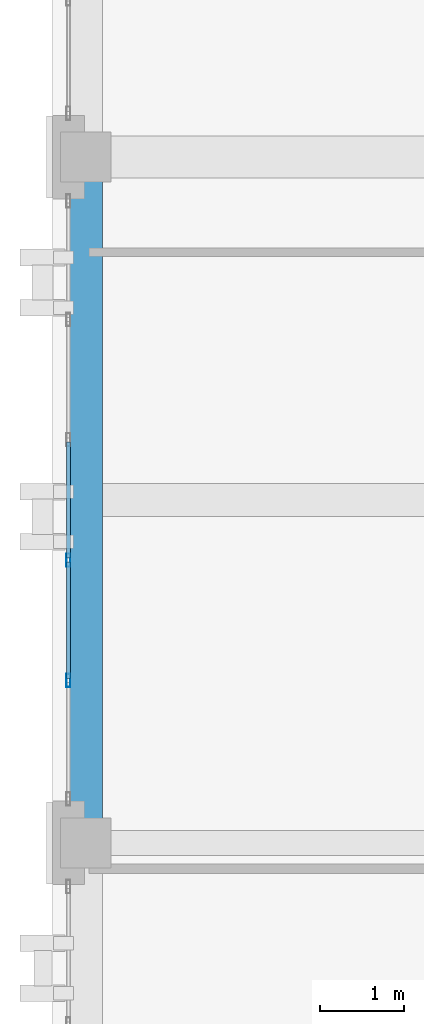
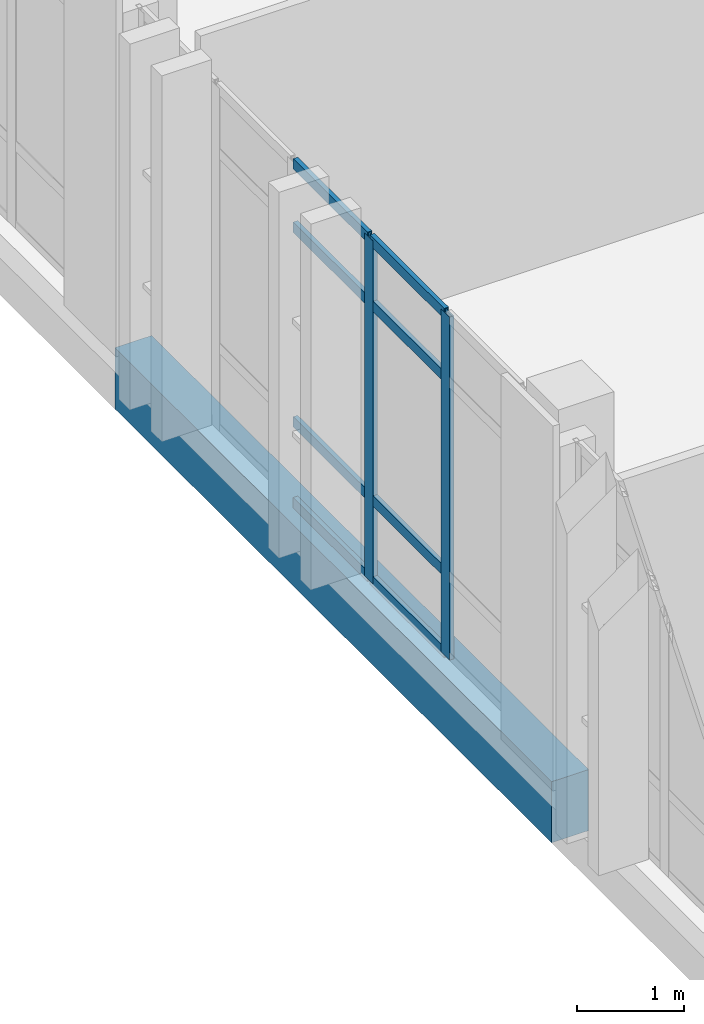
# One storey, part 31 of 90: 10 members, 1 beam, 1 element without a shape of its own.
"""IFC4 building model written with IfcOpenShell, lengths in metres."""

from ifc_helpers import new_model, si_unit, direction, frame, origin, origin_2d, place, context, subcontext, project, spatial, rectangle, hollow_rectangle, extrude, material, layer, layer_set, material_profile, profile_set, type_object, element, aggregate, save


model = new_model("IFC4")

# Units and contexts
model_context = context("Model", 3, precision=1e-05, world=origin(), true_north=direction((0.0, 1.0)))
body_context = subcontext(model_context, "Body", "Model", "MODEL_VIEW")
ifc_project = project(units=[si_unit("LENGTHUNIT", "METRE"), si_unit("AREAUNIT", "SQUARE_METRE"), si_unit("VOLUMEUNIT", "CUBIC_METRE"), si_unit("PLANEANGLEUNIT", "RADIAN"), si_unit("MASSUNIT", "GRAM", prefix="KILO")], contexts=[model_context])

# Site, building, storey
site_placement = place(None, origin())
site = spatial("IfcSite", under=ifc_project, at=site_placement, CompositionType="ELEMENT")
building_placement = place(site_placement, origin())
building = spatial("IfcBuilding", under=site, at=building_placement, Name="Qalavern Law Courts", CompositionType="ELEMENT")
storey_placement = place(building_placement, frame((0.0, 0.0, 22.800048828125)))
storey = spatial("IfcBuildingStorey", under=building, at=storey_placement, Name="L05", CompositionType="ELEMENT", Elevation=22.800048828125)

# Curtain wall, members
ifc_material_1 = material(Name="Anodised aluminium and insulated glazing", Category="aluminium")
ifc_layer = layer(ifc_material_1, 0.159912109375)
ifc_layer_set = layer_set([ifc_layer], Name="Anodised aluminium and insulated glazing")
curtain_wall_type = type_object("IfcCurtainWallType", Name="ENV-CW-CHAMB", PredefinedType="USERDEFINED", material=ifc_layer_set)
curtain_wall_placement = place(storey_placement, origin())
curtain_wall = element("IfcCurtainWall", 1, at=curtain_wall_placement, inside=storey, type_object=curtain_wall_type, Name="V3 unitised curtain wall L05 west 2", ObjectType="UNITISED CURTAIN WALL", PredefinedType="USERDEFINED")
ifc_material_2 = material(Name="Anodised aluminium", Category="aluminium")
ifc_material_profile_1 = material_profile(ifc_material_2, hollow_rectangle(XDim=0.048095703125, YDim=0.159912109375, WallThickness=0.00390625, at=origin_2d()), Name="ALU MULLION 48x160")
ifc_profile_set_1 = profile_set([ifc_material_profile_1], Name="Anodised aluminium")
member_type_1 = type_object("IfcMemberType", Name="ENV-CWM-48x160", PredefinedType="MULLION", material=ifc_profile_set_1)
member_1_placement = place(storey_placement, frame((2.1923828125, 82.780029296875, 0.0), z_axis=(0.0, 0.0, 1.0), x_axis=(1.0, 0.0, 0.0)))
member_1 = element("IfcMember", 2, at=member_1_placement, type_object=member_type_1, Name="CW-04 mullion 4", PredefinedType="MULLION", context=body_context, shape_type="SweptSolid", body=[
    extrude(hollow_rectangle(XDim=0.048095703125, YDim=0.159912109375, WallThickness=0.00390625, at=origin_2d()), origin(), (0.0, 0.0, 1.0), 3.929931640625),
])
member_2_placement = place(storey_placement, frame((2.1923828125, 81.340087890625, 0.0), z_axis=(0.0, 0.0, 1.0), x_axis=(1.0, 0.0, 0.0)))
member_2 = element("IfcMember", 3, at=member_2_placement, type_object=member_type_1, Name="CW-04 mullion 5", PredefinedType="MULLION", context=body_context, shape_type="SweptSolid", body=[
    extrude(hollow_rectangle(XDim=0.048095703125, YDim=0.159912109375, WallThickness=0.00390625, at=origin_2d()), origin(), (0.0, 0.0, 1.0), 3.929931640625),
])
ifc_material_profile_2 = material_profile(ifc_material_2, hollow_rectangle(XDim=0.048095703125, YDim=0.1201171875, WallThickness=0.00390625, at=origin_2d()), Name="ALU TRANSOM 48x120")
ifc_profile_set_2 = profile_set([ifc_material_profile_2], Name="Anodised aluminium")
member_type_2 = type_object("IfcMemberType", Name="ENV-CWT-48x120", PredefinedType="USERDEFINED", material=ifc_profile_set_2)
member_3_placement = place(storey_placement, frame((2.1923828125, 84.196044921875, 0.02392578125), z_axis=(0.0, -1.0, 0.0), x_axis=(1.0, 0.0, 0.0)))
member_3 = element("IfcMember", 4, at=member_3_placement, type_object=member_type_2, Name="CW-04 transom 3.1", ObjectType="TRANSOM", PredefinedType="USERDEFINED", context=body_context, shape_type="SweptSolid", body=[
    extrude(hollow_rectangle(XDim=0.048095703125, YDim=0.1201171875, WallThickness=0.00390625, at=origin_2d()), origin(), (0.0, 0.0, 1.0), 1.39208984375),
])
member_4_placement = place(storey_placement, frame((2.1923828125, 84.196044921875, 0.949951171875), z_axis=(0.0, -1.0, 0.0), x_axis=(1.0, 0.0, 0.0)))
member_4 = element("IfcMember", 5, at=member_4_placement, type_object=member_type_2, Name="CW-04 transom 3.2", ObjectType="TRANSOM", PredefinedType="USERDEFINED", context=body_context, shape_type="SweptSolid", body=[
    extrude(hollow_rectangle(XDim=0.048095703125, YDim=0.1201171875, WallThickness=0.00390625, at=origin_2d()), origin(), (0.0, 0.0, 1.0), 1.39208984375),
])
member_5_placement = place(storey_placement, frame((2.1923828125, 84.196044921875, 3.179931640625), z_axis=(0.0, -1.0, 0.0), x_axis=(1.0, 0.0, 0.0)))
member_5 = element("IfcMember", 6, at=member_5_placement, type_object=member_type_2, Name="CW-04 transom 3.3", ObjectType="TRANSOM", PredefinedType="USERDEFINED", context=body_context, shape_type="SweptSolid", body=[
    extrude(hollow_rectangle(XDim=0.048095703125, YDim=0.1201171875, WallThickness=0.00390625, at=origin_2d()), origin(), (0.0, 0.0, 1.0), 1.39208984375),
])
member_6_placement = place(storey_placement, frame((2.1923828125, 84.196044921875, 3.906005859375), z_axis=(0.0, -1.0, 0.0), x_axis=(1.0, 0.0, 0.0)))
member_6 = element("IfcMember", 7, at=member_6_placement, type_object=member_type_2, Name="CW-04 transom 3.4", ObjectType="TRANSOM", PredefinedType="USERDEFINED", context=body_context, shape_type="SweptSolid", body=[
    extrude(hollow_rectangle(XDim=0.048095703125, YDim=0.1201171875, WallThickness=0.00390625, at=origin_2d()), origin(), (0.0, 0.0, 1.0), 1.39208984375),
])
member_7_placement = place(storey_placement, frame((2.1923828125, 82.756103515625, 0.02392578125), z_axis=(0.0, -1.0, 0.0), x_axis=(1.0, 0.0, 0.0)))
member_7 = element("IfcMember", 8, at=member_7_placement, type_object=member_type_2, Name="CW-04 transom 4.1", ObjectType="TRANSOM", PredefinedType="USERDEFINED", context=body_context, shape_type="SweptSolid", body=[
    extrude(hollow_rectangle(XDim=0.048095703125, YDim=0.1201171875, WallThickness=0.00390625, at=origin_2d()), origin(), (0.0, 0.0, 1.0), 1.39208984375),
])
member_8_placement = place(storey_placement, frame((2.1923828125, 82.756103515625, 0.949951171875), z_axis=(0.0, -1.0, 0.0), x_axis=(1.0, 0.0, 0.0)))
member_8 = element("IfcMember", 9, at=member_8_placement, type_object=member_type_2, Name="CW-04 transom 4.2", ObjectType="TRANSOM", PredefinedType="USERDEFINED", context=body_context, shape_type="SweptSolid", body=[
    extrude(hollow_rectangle(XDim=0.048095703125, YDim=0.1201171875, WallThickness=0.00390625, at=origin_2d()), origin(), (0.0, 0.0, 1.0), 1.39208984375),
])
member_9_placement = place(storey_placement, frame((2.1923828125, 82.756103515625, 3.179931640625), z_axis=(0.0, -1.0, 0.0), x_axis=(1.0, 0.0, 0.0)))
member_9 = element("IfcMember", 10, at=member_9_placement, type_object=member_type_2, Name="CW-04 transom 4.3", ObjectType="TRANSOM", PredefinedType="USERDEFINED", context=body_context, shape_type="SweptSolid", body=[
    extrude(hollow_rectangle(XDim=0.048095703125, YDim=0.1201171875, WallThickness=0.00390625, at=origin_2d()), origin(), (0.0, 0.0, 1.0), 1.39208984375),
])
member_10_placement = place(storey_placement, frame((2.1923828125, 82.756103515625, 3.906005859375), z_axis=(0.0, -1.0, 0.0), x_axis=(1.0, 0.0, 0.0)))
member_10 = element("IfcMember", 11, at=member_10_placement, type_object=member_type_2, Name="CW-04 transom 4.4", ObjectType="TRANSOM", PredefinedType="USERDEFINED", context=body_context, shape_type="SweptSolid", body=[
    extrude(hollow_rectangle(XDim=0.048095703125, YDim=0.1201171875, WallThickness=0.00390625, at=origin_2d()), origin(), (0.0, 0.0, 1.0), 1.39208984375),
])
aggregate(curtain_wall, [member_1, member_2, member_3, member_4, member_5, member_6, member_7, member_8, member_9, member_10])

# Beam
ifc_material_3 = material(Name="Concrete C40/50", Category="concrete")
ifc_material_profile_3 = material_profile(ifc_material_3, rectangle(XDim=0.39990234375, YDim=0.699951171875, at=origin_2d()), Name="RC 400x700")
ifc_profile_set_3 = profile_set([ifc_material_profile_3], Name="Concrete C40/50")
beam_type = type_object("IfcBeamType", Name="STR-SP-RC400x700", PredefinedType="SPANDREL", material=ifc_profile_set_3)
beam_placement = place(storey_placement, frame((2.39990234375, 79.39990234375, -0.625), z_axis=(0.0, 1.0, 0.0), x_axis=(-1.0, 0.0, 0.0)))
element("IfcBeam", 12, at=beam_placement, inside=storey, type_object=beam_type, Name="V3 Y-beam 1-6 L05", PredefinedType="SPANDREL", context=body_context, shape_type="SweptSolid", body=[
    extrude(rectangle(XDim=0.39990234375, YDim=0.699951171875, at=origin_2d()), origin(), (0.0, 0.0, 1.0), 8.2001953125),
])

save(model, "model.ifc")
